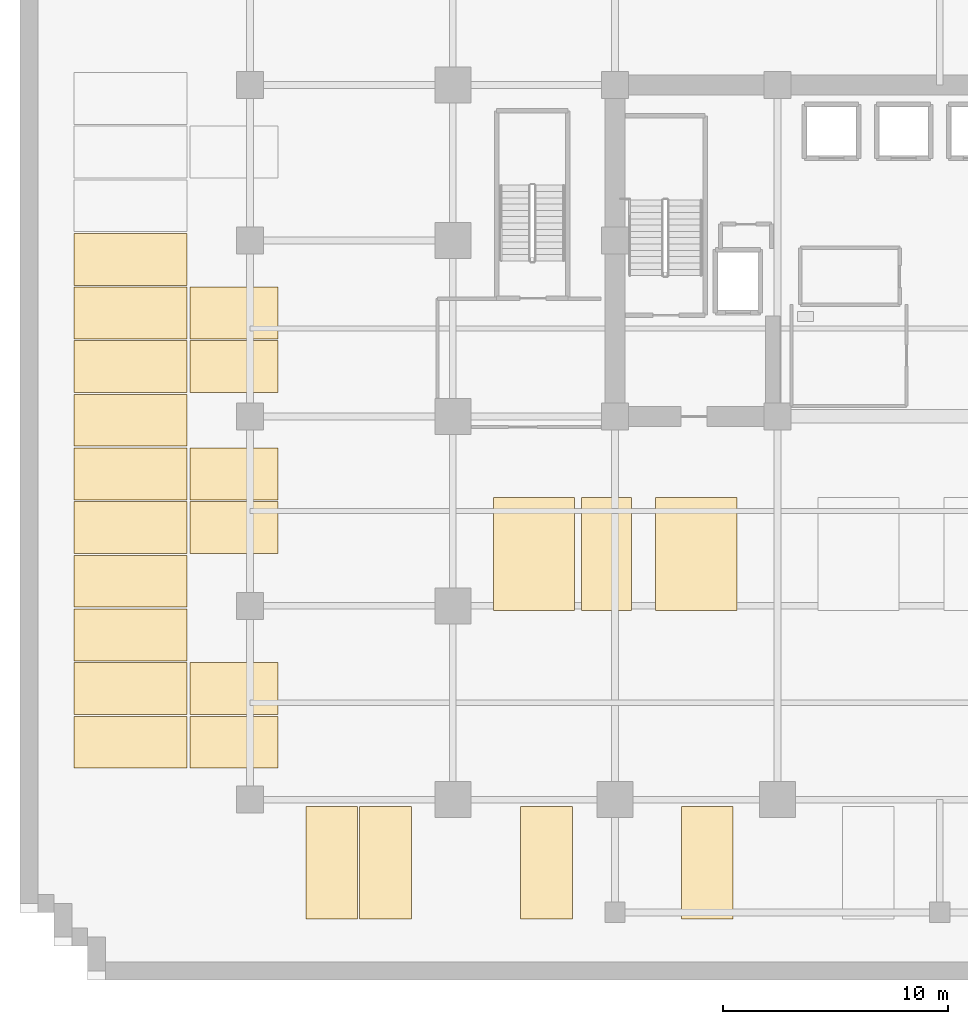
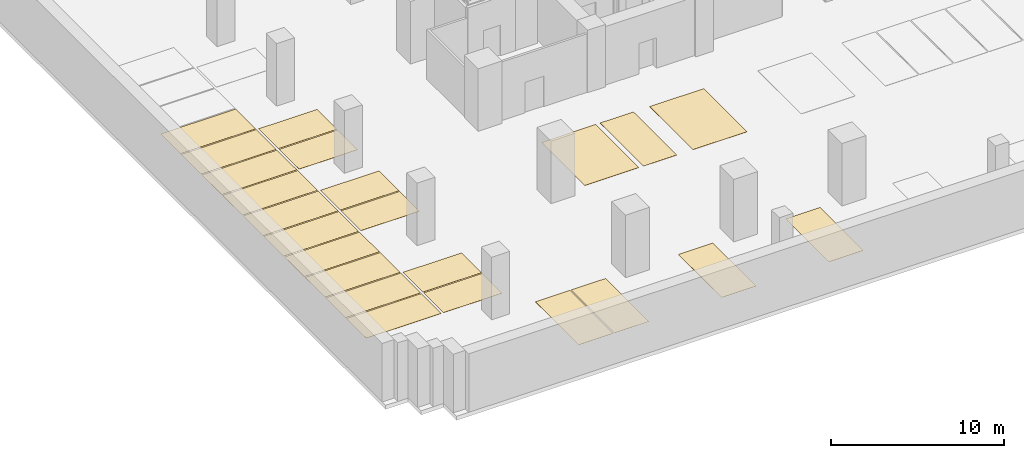
# One storey, part 7 of 13: 23 coverings.
"""IFC4 building model written with IfcOpenShell, lengths in metres."""

from ifc_helpers import new_model, si_unit, direction, frame, origin, place, context, subcontext, project, spatial, polyline, outline, extrude, material, layer, layer_set, type_object, element, save


model = new_model("IFC4")

# Units and contexts
model_context = context("Model", 3, precision=1e-05, world=origin(), true_north=direction((0.0, 1.0)))
body_context = subcontext(model_context, "Body", "Model", "MODEL_VIEW")
ifc_project = project(units=[si_unit("LENGTHUNIT", "METRE"), si_unit("AREAUNIT", "SQUARE_METRE"), si_unit("VOLUMEUNIT", "CUBIC_METRE"), si_unit("PLANEANGLEUNIT", "RADIAN"), si_unit("MASSUNIT", "GRAM", prefix="KILO")], contexts=[model_context])

# Site, building, storey
site_placement = place(None, origin())
site = spatial("IfcSite", under=ifc_project, at=site_placement, CompositionType="ELEMENT")
building_placement = place(site_placement, origin())
building = spatial("IfcBuilding", under=site, at=building_placement, Name="Zarnakvel Exchange Tower", CompositionType="ELEMENT")
storey_placement = place(building_placement, frame((0.0, 0.0, -8.800048828125)))
storey = spatial("IfcBuildingStorey", under=building, at=storey_placement, Name="B02", CompositionType="ELEMENT", Elevation=-8.800048828125)

# Coverings
ifc_material = material(Name="Thermoplastic Acrylic Bay Marking", Category="finish")
ifc_layer_1 = layer(ifc_material, 0.010009765625)
ifc_layer_set_1 = layer_set([ifc_layer_1], Name="Thermoplastic Acrylic Bay Marking")
covering_type_1 = type_object("IfcCoveringType", Name="MK-01", PredefinedType="FLOORING", material=ifc_layer_set_1)
covering_1_placement = place(storey_placement, origin())
element("IfcCovering", 1, at=covering_1_placement, inside=storey, type_object=covering_type_1, Name="B02 Standard Parking Bay Marking B02-04", PredefinedType="FLOORING", context=body_context, shape_type="SweptSolid", body=[
    extrude(outline(polyline([(-28.1201171875, -23.5), (-25.820068359375, -23.5), (-25.820068359375, -18.5), (-28.1201171875, -18.5), (-28.1201171875, -23.5)])), origin(), (0.0, 0.0, 1.0), 0.010009765625),
])
covering_2_placement = place(storey_placement, origin())
element("IfcCovering", 2, at=covering_2_placement, inside=storey, type_object=covering_type_1, Name="B02 Standard Parking Bay Marking B02-05", PredefinedType="FLOORING", context=body_context, shape_type="SweptSolid", body=[
    extrude(outline(polyline([(-25.739990234375, -23.5), (-23.43994140625, -23.5), (-23.43994140625, -18.5), (-25.739990234375, -18.5), (-25.739990234375, -23.5)])), origin(), (0.0, 0.0, 1.0), 0.010009765625),
])
covering_3_placement = place(storey_placement, origin())
element("IfcCovering", 3, at=covering_3_placement, inside=storey, type_object=covering_type_1, Name="B02 Standard Parking Bay Marking B02-06", PredefinedType="FLOORING", context=body_context, shape_type="SweptSolid", body=[
    extrude(outline(polyline([(-18.60009765625, -23.5), (-16.300048828125, -23.5), (-16.300048828125, -18.5), (-18.60009765625, -18.5), (-18.60009765625, -23.5)])), origin(), (0.0, 0.0, 1.0), 0.010009765625),
])
covering_4_placement = place(storey_placement, origin())
element("IfcCovering", 4, at=covering_4_placement, inside=storey, type_object=covering_type_1, Name="B02 Standard Parking Bay Marking B02-07", PredefinedType="FLOORING", context=body_context, shape_type="SweptSolid", body=[
    extrude(outline(polyline([(-11.4599609375, -23.5), (-9.159912109375, -23.5), (-9.159912109375, -18.5), (-11.4599609375, -18.5), (-11.4599609375, -23.5)])), origin(), (0.0, 0.0, 1.0), 0.010009765625),
])
covering_5_placement = place(storey_placement, origin())
element("IfcCovering", 5, at=covering_5_placement, inside=storey, type_object=covering_type_1, Name="B02 Standard Parking Bay Marking B02-14", PredefinedType="FLOORING", context=body_context, shape_type="SweptSolid", body=[
    extrude(outline(polyline([(-15.89990234375, -9.800048828125), (-13.679931640625, -9.800048828125), (-13.679931640625, -4.800048828125), (-15.89990234375, -4.800048828125), (-15.89990234375, -9.800048828125)])), origin(), (0.0, 0.0, 1.0), 0.010009765625),
])
covering_6_placement = place(storey_placement, origin())
element("IfcCovering", 6, at=covering_6_placement, inside=storey, type_object=covering_type_1, Name="B02 Standard Parking Bay Marking B02-23", PredefinedType="FLOORING", context=body_context, shape_type="SweptSolid", body=[
    extrude(outline(polyline([(-38.39990234375, -16.800048828125), (-33.39990234375, -16.800048828125), (-33.39990234375, -14.5), (-38.39990234375, -14.5), (-38.39990234375, -16.800048828125)])), origin(), (0.0, 0.0, 1.0), 0.010009765625),
])
covering_7_placement = place(storey_placement, origin())
element("IfcCovering", 7, at=covering_7_placement, inside=storey, type_object=covering_type_1, Name="B02 Standard Parking Bay Marking B02-24", PredefinedType="FLOORING", context=body_context, shape_type="SweptSolid", body=[
    extrude(outline(polyline([(-38.39990234375, -14.419921875), (-33.39990234375, -14.419921875), (-33.39990234375, -12.1201171875), (-38.39990234375, -12.1201171875), (-38.39990234375, -14.419921875)])), origin(), (0.0, 0.0, 1.0), 0.010009765625),
])
covering_8_placement = place(storey_placement, origin())
element("IfcCovering", 8, at=covering_8_placement, inside=storey, type_object=covering_type_1, Name="B02 Standard Parking Bay Marking B02-25", PredefinedType="FLOORING", context=body_context, shape_type="SweptSolid", body=[
    extrude(outline(polyline([(-38.39990234375, -12.0400390625), (-33.39990234375, -12.0400390625), (-33.39990234375, -9.739990234375), (-38.39990234375, -9.739990234375), (-38.39990234375, -12.0400390625)])), origin(), (0.0, 0.0, 1.0), 0.010009765625),
])
covering_9_placement = place(storey_placement, origin())
element("IfcCovering", 9, at=covering_9_placement, inside=storey, type_object=covering_type_1, Name="B02 Standard Parking Bay Marking B02-26", PredefinedType="FLOORING", context=body_context, shape_type="SweptSolid", body=[
    extrude(outline(polyline([(-38.39990234375, -9.659912109375), (-33.39990234375, -9.659912109375), (-33.39990234375, -7.360107421875), (-38.39990234375, -7.360107421875), (-38.39990234375, -9.659912109375)])), origin(), (0.0, 0.0, 1.0), 0.010009765625),
])
covering_10_placement = place(storey_placement, origin())
element("IfcCovering", 10, at=covering_10_placement, inside=storey, type_object=covering_type_1, Name="B02 Standard Parking Bay Marking B02-27", PredefinedType="FLOORING", context=body_context, shape_type="SweptSolid", body=[
    extrude(outline(polyline([(-38.39990234375, -7.280029296875), (-33.39990234375, -7.280029296875), (-33.39990234375, -4.97998046875), (-38.39990234375, -4.97998046875), (-38.39990234375, -7.280029296875)])), origin(), (0.0, 0.0, 1.0), 0.010009765625),
])
covering_11_placement = place(storey_placement, origin())
element("IfcCovering", 11, at=covering_11_placement, inside=storey, type_object=covering_type_1, Name="B02 Standard Parking Bay Marking B02-28", PredefinedType="FLOORING", context=body_context, shape_type="SweptSolid", body=[
    extrude(outline(polyline([(-38.39990234375, -4.89990234375), (-33.39990234375, -4.89990234375), (-33.39990234375, -2.60009765625), (-38.39990234375, -2.60009765625), (-38.39990234375, -4.89990234375)])), origin(), (0.0, 0.0, 1.0), 0.010009765625),
])
covering_12_placement = place(storey_placement, origin())
element("IfcCovering", 12, at=covering_12_placement, inside=storey, type_object=covering_type_1, Name="B02 Standard Parking Bay Marking B02-29", PredefinedType="FLOORING", context=body_context, shape_type="SweptSolid", body=[
    extrude(outline(polyline([(-38.39990234375, -2.52001953125), (-33.39990234375, -2.52001953125), (-33.39990234375, -0.219970703125), (-38.39990234375, -0.219970703125), (-38.39990234375, -2.52001953125)])), origin(), (0.0, 0.0, 1.0), 0.010009765625),
])
covering_13_placement = place(storey_placement, origin())
element("IfcCovering", 13, at=covering_13_placement, inside=storey, type_object=covering_type_1, Name="B02 Standard Parking Bay Marking B02-30", PredefinedType="FLOORING", context=body_context, shape_type="SweptSolid", body=[
    extrude(outline(polyline([(-38.39990234375, -0.139892578125), (-33.39990234375, -0.139892578125), (-33.39990234375, 2.159912109375), (-38.39990234375, 2.159912109375), (-38.39990234375, -0.139892578125)])), origin(), (0.0, 0.0, 1.0), 0.010009765625),
])
covering_14_placement = place(storey_placement, origin())
element("IfcCovering", 14, at=covering_14_placement, inside=storey, type_object=covering_type_1, Name="B02 Standard Parking Bay Marking B02-31", PredefinedType="FLOORING", context=body_context, shape_type="SweptSolid", body=[
    extrude(outline(polyline([(-38.39990234375, 2.239990234375), (-33.39990234375, 2.239990234375), (-33.39990234375, 4.5400390625), (-38.39990234375, 4.5400390625), (-38.39990234375, 2.239990234375)])), origin(), (0.0, 0.0, 1.0), 0.010009765625),
])
covering_15_placement = place(storey_placement, origin())
element("IfcCovering", 15, at=covering_15_placement, inside=storey, type_object=covering_type_1, Name="B02 Standard Parking Bay Marking B02-32", PredefinedType="FLOORING", context=body_context, shape_type="SweptSolid", body=[
    extrude(outline(polyline([(-38.39990234375, 4.6201171875), (-33.39990234375, 4.6201171875), (-33.39990234375, 6.919921875), (-38.39990234375, 6.919921875), (-38.39990234375, 4.6201171875)])), origin(), (0.0, 0.0, 1.0), 0.010009765625),
])
covering_16_placement = place(storey_placement, origin())
element("IfcCovering", 16, at=covering_16_placement, inside=storey, type_object=covering_type_1, Name="B02 Standard Parking Bay Marking B02-38", PredefinedType="FLOORING", context=body_context, shape_type="SweptSolid", body=[
    extrude(outline(polyline([(-33.25, -16.800048828125), (-29.35009765625, -16.800048828125), (-29.35009765625, -14.5), (-33.25, -14.5), (-33.25, -16.800048828125)])), origin(), (0.0, 0.0, 1.0), 0.010009765625),
])
covering_17_placement = place(storey_placement, origin())
element("IfcCovering", 17, at=covering_17_placement, inside=storey, type_object=covering_type_1, Name="B02 Standard Parking Bay Marking B02-39", PredefinedType="FLOORING", context=body_context, shape_type="SweptSolid", body=[
    extrude(outline(polyline([(-33.25, -14.419921875), (-29.35009765625, -14.419921875), (-29.35009765625, -12.1201171875), (-33.25, -12.1201171875), (-33.25, -14.419921875)])), origin(), (0.0, 0.0, 1.0), 0.010009765625),
])
covering_18_placement = place(storey_placement, origin())
element("IfcCovering", 18, at=covering_18_placement, inside=storey, type_object=covering_type_1, Name="B02 Standard Parking Bay Marking B02-40", PredefinedType="FLOORING", context=body_context, shape_type="SweptSolid", body=[
    extrude(outline(polyline([(-33.25, -7.280029296875), (-29.35009765625, -7.280029296875), (-29.35009765625, -4.97998046875), (-33.25, -4.97998046875), (-33.25, -7.280029296875)])), origin(), (0.0, 0.0, 1.0), 0.010009765625),
])
covering_19_placement = place(storey_placement, origin())
element("IfcCovering", 19, at=covering_19_placement, inside=storey, type_object=covering_type_1, Name="B02 Standard Parking Bay Marking B02-41", PredefinedType="FLOORING", context=body_context, shape_type="SweptSolid", body=[
    extrude(outline(polyline([(-33.25, -4.89990234375), (-29.35009765625, -4.89990234375), (-29.35009765625, -2.60009765625), (-33.25, -2.60009765625), (-33.25, -4.89990234375)])), origin(), (0.0, 0.0, 1.0), 0.010009765625),
])
covering_20_placement = place(storey_placement, origin())
element("IfcCovering", 20, at=covering_20_placement, inside=storey, type_object=covering_type_1, Name="B02 Standard Parking Bay Marking B02-42", PredefinedType="FLOORING", context=body_context, shape_type="SweptSolid", body=[
    extrude(outline(polyline([(-33.25, -0.139892578125), (-29.35009765625, -0.139892578125), (-29.35009765625, 2.159912109375), (-33.25, 2.159912109375), (-33.25, -0.139892578125)])), origin(), (0.0, 0.0, 1.0), 0.010009765625),
])
covering_21_placement = place(storey_placement, origin())
element("IfcCovering", 21, at=covering_21_placement, inside=storey, type_object=covering_type_1, Name="B02 Standard Parking Bay Marking B02-43", PredefinedType="FLOORING", context=body_context, shape_type="SweptSolid", body=[
    extrude(outline(polyline([(-33.25, 2.239990234375), (-29.35009765625, 2.239990234375), (-29.35009765625, 4.5400390625), (-33.25, 4.5400390625), (-33.25, 2.239990234375)])), origin(), (0.0, 0.0, 1.0), 0.010009765625),
])
ifc_layer_2 = layer(ifc_material, 0.010009765625)
ifc_layer_set_2 = layer_set([ifc_layer_2], Name="Thermoplastic Acrylic Bay Marking")
covering_type_2 = type_object("IfcCoveringType", Name="MK-02", PredefinedType="FLOORING", material=ifc_layer_set_2)
covering_22_placement = place(storey_placement, origin())
element("IfcCovering", 22, at=covering_22_placement, inside=storey, type_object=covering_type_2, Name="B02 Accessible Parking Bay Marking OKU-04", PredefinedType="FLOORING", context=body_context, shape_type="SweptSolid", body=[
    extrude(outline(polyline([(-19.800048828125, -9.800048828125), (-16.199951171875, -9.800048828125), (-16.199951171875, -4.800048828125), (-19.800048828125, -4.800048828125), (-19.800048828125, -9.800048828125)])), origin(), (0.0, 0.0, 1.0), 0.010009765625),
])
covering_23_placement = place(storey_placement, origin())
element("IfcCovering", 23, at=covering_23_placement, inside=storey, type_object=covering_type_2, Name="B02 Accessible Parking Bay Marking OKU-05", PredefinedType="FLOORING", context=body_context, shape_type="SweptSolid", body=[
    extrude(outline(polyline([(-12.60009765625, -9.800048828125), (-9.0, -9.800048828125), (-9.0, -4.800048828125), (-12.60009765625, -4.800048828125), (-12.60009765625, -9.800048828125)])), origin(), (0.0, 0.0, 1.0), 0.010009765625),
])

save(model, "model.ifc")
